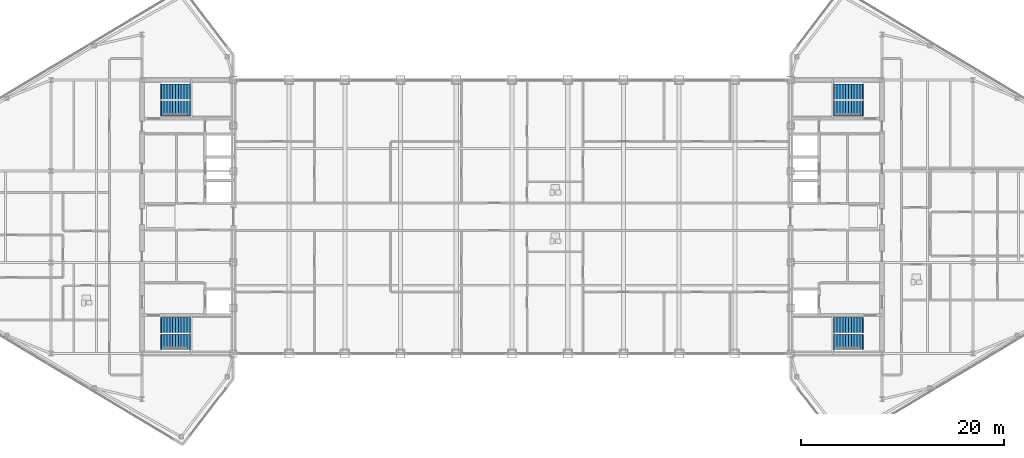
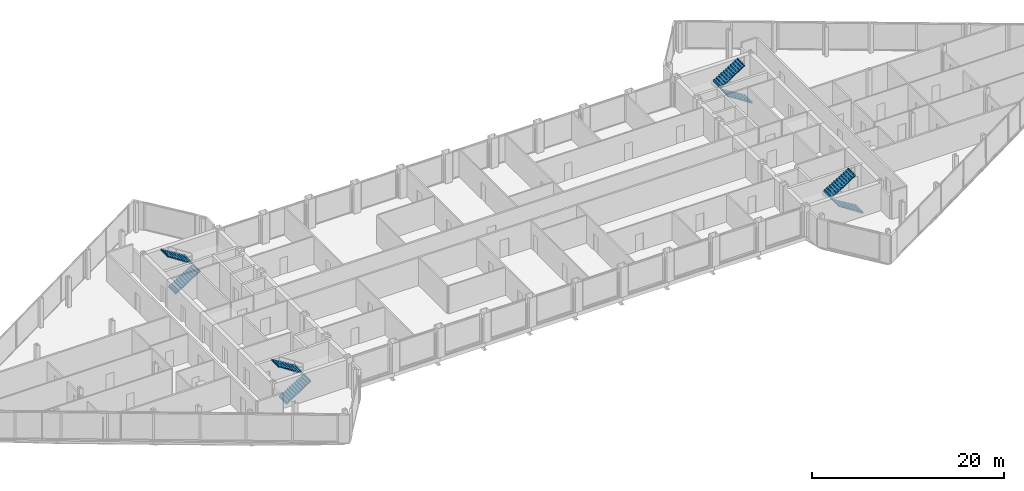
# One storey, part 27 of 29: 8 stair flights, 4 elements without a shape of their own.
"""IFC4 building model written with IfcOpenShell, lengths in metres."""

import ifcopenshell
import ifcopenshell.guid

model = None  # the IFC model being written
_history = None  # IfcOwnerHistory: only IFC2X3 demands one
_inside = {}  # id of a spatial element -> (the spatial element, [elements in it])
_under = {}  # id of a project, library or spatial element -> (it, [spatial elements below it])
_declared = {}  # id of a project -> (the project, [libraries it declares])
_typed = {}  # id of a type object -> (the type object, [elements of that type])
_made_of = {}  # id of a material, layer set ... -> (it, [elements and type objects made of it])


def new_model(schema):
    """Start an empty IFC model of exactly this schema.

    Asked for "IFC4X3", IfcOpenShell would pick the latest addendum, in which some entities
    have other attributes; the version numbers below select the first issue.
    IFC2X3 requires an IfcOwnerHistory on every rooted entity: one is made here for all.
    """
    global model, _history
    if schema == "IFC4X3":
        model = ifcopenshell.file(schema_version=(4, 3, 0, 0))
    else:
        model = ifcopenshell.file(schema=schema)
    _inside.clear()
    _under.clear()
    _declared.clear()
    _typed.clear()
    _made_of.clear()
    _history = None
    if model.schema == "IFC2X3":
        org = make("IfcOrganization", Name="unknown")
        user = make(
            "IfcPersonAndOrganization",
            ThePerson=make("IfcPerson", FamilyName="unknown"),
            TheOrganization=org,
        )
        app = make(
            "IfcApplication",
            ApplicationDeveloper=org,
            Version="unknown",
            ApplicationFullName="unknown",
            ApplicationIdentifier="unknown",
        )
        _history = make(
            "IfcOwnerHistory",
            OwningUser=user,
            OwningApplication=app,
            ChangeAction="ADDED",
            CreationDate=0,
        )
    return model


def make(cls, **values):
    """One entity of the class cls with the attributes given. An attribute that is None is left unset."""
    return model.create_entity(
        cls, **{name: value for name, value in values.items() if value is not None}
    )


def rooted(cls, **values):
    """An entity with a GlobalId (a new one), such as an element, a storey or a relation."""
    return make(cls, GlobalId=ifcopenshell.guid.new(), OwnerHistory=_history, **values)


def si_unit(unit_type, name, prefix=None):
    """IfcSIUnit, for example si_unit("LENGTHUNIT", "METRE", prefix="MILLI")."""
    return make("IfcSIUnit", UnitType=unit_type, Prefix=prefix, Name=name)


def assignment(units):
    """IfcUnitAssignment: the units of a project."""
    return None if units is None else make("IfcUnitAssignment", Units=units)


def point(xyz):
    """IfcCartesianPoint."""
    return None if xyz is None else make("IfcCartesianPoint", Coordinates=xyz)


def direction(xyz):
    """IfcDirection."""
    return None if xyz is None else make("IfcDirection", DirectionRatios=xyz)


def frame(location, z_axis=None, x_axis=None):
    """IfcAxis2Placement3D, a coordinate frame: its origin and axes. An axis left out is left unset."""
    return make(
        "IfcAxis2Placement3D",
        Location=point(location),
        Axis=direction(z_axis),
        RefDirection=direction(x_axis),
    )


def origin():
    """The frame at (0, 0, 0) with its axes left unset."""
    return frame((0.0, 0.0, 0.0))


def place(relative_to, where):
    """IfcLocalPlacement: puts the frame where relative to a parent placement (None: the world)."""
    return make(
        "IfcLocalPlacement", PlacementRelTo=relative_to, RelativePlacement=where
    )


def context(
    kind, dimensions, precision=None, world=None, true_north=None, identifier=None
):
    """IfcGeometricRepresentationContext, for example the 3D "Model" context."""
    return make(
        "IfcGeometricRepresentationContext",
        ContextIdentifier=identifier,
        ContextType=kind,
        CoordinateSpaceDimension=dimensions,
        Precision=precision,
        WorldCoordinateSystem=world,
        TrueNorth=true_north,
    )


def subcontext(parent, identifier, kind, view, scale=None):
    """IfcGeometricRepresentationSubContext, for example "Body" below "Model"."""
    return make(
        "IfcGeometricRepresentationSubContext",
        ContextIdentifier=identifier,
        ContextType=kind,
        ParentContext=parent,
        TargetScale=scale,
        TargetView=view,
    )


def project(units=None, contexts=None):
    """IfcProject with its units and contexts."""
    return rooted(
        "IfcProject",
        Name="project",
        RepresentationContexts=contexts,
        UnitsInContext=assignment(units),
    )


def spatial(cls, under=None, at=None, **own):
    """A site, building, storey or space (cls), placed at a placement, below another one or the project."""
    s = rooted(cls, ObjectPlacement=at, **own)
    if under is not None:
        _under.setdefault(under.id(), (under, []))[1].append(s)
    return s


def polyline(points):
    """IfcPolyline through the points."""
    return make("IfcPolyline", Points=[point(p) for p in points])


def outline(outer, holes=None, kind="AREA"):
    """IfcArbitraryClosedProfileDef: a profile drawn as a closed curve; with holes, ...WithVoids."""
    if holes is None:
        return make("IfcArbitraryClosedProfileDef", ProfileType=kind, OuterCurve=outer)
    return make(
        "IfcArbitraryProfileDefWithVoids",
        ProfileType=kind,
        OuterCurve=outer,
        InnerCurves=holes,
    )


def extrude(swept, where, along, depth):
    """IfcExtrudedAreaSolid: the profile swept, set in the frame where, extruded along a direction by depth."""
    return make(
        "IfcExtrudedAreaSolid",
        SweptArea=swept,
        Position=where,
        ExtrudedDirection=direction(along),
        Depth=depth,
    )


def shape(context_of_items, identifier, shape_type, items):
    """IfcShapeRepresentation: the items that make up one representation, for example the "Body"."""
    return make(
        "IfcShapeRepresentation",
        ContextOfItems=context_of_items,
        RepresentationIdentifier=identifier,
        RepresentationType=shape_type,
        Items=items,
    )


def material(Name=None, Category=None):
    """IfcMaterial."""
    return make("IfcMaterial", Name=Name, Category=Category)


def made_of(thing, what):
    """Note that an element or type object is made of a material, layer set ...; save() writes the relation."""
    if what is not None:
        _made_of.setdefault(what.id(), (what, []))[1].append(thing)
    return thing


def type_object(cls, material=None, **own):
    """A type object (cls), such as IfcWallType, which elements share."""
    return made_of(rooted(cls, **own), material)


def element(
    cls,
    number,
    at=None,
    inside=None,
    cuts=None,
    type_object=None,
    material=None,
    context=None,
    identifier="Body",
    shape_type=None,
    held_by="IfcProductDefinitionShape",
    body=None,
    shapes=None,
    **own,
):
    """One element of the class cls, such as IfcWall. Its Tag is "e" and its number.

    at: its placement. inside: the storey or other place that contains it. cuts: it is an
    opening in that element (IfcRelVoidsElement). A single representation is given by context,
    identifier, shape_type and body (its items); several are given by shapes. held_by: the class
    of the entity that holds the representations. save() writes the other relations.
    """
    e = rooted(cls, Tag="e%d" % number, ObjectPlacement=at, **own)
    if body is not None:
        shapes = [shape(context, identifier, shape_type, body)]
    if shapes is not None:
        e.Representation = make(held_by, Representations=shapes)
    if inside is not None:
        _inside.setdefault(inside.id(), (inside, []))[1].append(e)
    if cuts is not None:
        rooted(
            "IfcRelVoidsElement", RelatingBuildingElement=cuts, RelatedOpeningElement=e
        )
    if type_object is not None:
        _typed.setdefault(type_object.id(), (type_object, []))[1].append(e)
    return made_of(e, material)


def aggregate(whole, parts):
    """IfcRelAggregates: a whole, such as a stair, and the parts it consists of."""
    return rooted("IfcRelAggregates", RelatingObject=whole, RelatedObjects=parts)


def save(model, path):
    """Write the relations noted so far, then the file.

    IfcRelAggregates (storeys below a building ...), IfcRelContainedInSpatialStructure (elements
    in a storey), IfcRelDefinesByType, IfcRelAssociatesMaterial and IfcRelDeclares: one each for
    every whole, place, type object, material and project.
    """
    for whole, parts in _under.values():
        aggregate(whole, parts)
    for where, things in _inside.values():
        rooted(
            "IfcRelContainedInSpatialStructure",
            RelatedElements=things,
            RelatingStructure=where,
        )
    for kind, things in _typed.values():
        rooted("IfcRelDefinesByType", RelatedObjects=things, RelatingType=kind)
    for what, things in _made_of.values():
        rooted("IfcRelAssociatesMaterial", RelatedObjects=things, RelatingMaterial=what)
    for by, libraries in _declared.values():
        rooted("IfcRelDeclares", RelatingContext=by, RelatedDefinitions=libraries)
    model.write(path)


model = new_model("IFC4")

# Units and contexts
model_context = context("Model", 3, precision=1e-05, world=origin(), true_north=direction((0.0, 1.0)))
body_context = subcontext(model_context, "Body", "Model", "MODEL_VIEW")
ifc_project = project(units=[si_unit("LENGTHUNIT", "METRE"), si_unit("AREAUNIT", "SQUARE_METRE"), si_unit("VOLUMEUNIT", "CUBIC_METRE"), si_unit("PLANEANGLEUNIT", "RADIAN"), si_unit("MASSUNIT", "GRAM", prefix="KILO")], contexts=[model_context])

# Site, building, storey
site_placement = place(None, origin())
site = spatial("IfcSite", under=ifc_project, at=site_placement, CompositionType="ELEMENT")
building_placement = place(site_placement, origin())
building = spatial("IfcBuilding", under=site, at=building_placement, Name="Seokmaru Belvedere", CompositionType="ELEMENT")
storey_placement = place(building_placement, frame((0.0, 0.0, 246.89990234375)))
storey = spatial("IfcBuildingStorey", under=building, at=storey_placement, Name="L65", CompositionType="ELEMENT", Elevation=246.89990234375)

# Stair, stair flights
ifc_material = material(Name="Concrete C40 (40 MPa)", Category="concrete")
stair_type = type_object("IfcStairType", Name="Sky-Gate Residential Core Dog-Leg Stair 3750", PredefinedType="TWO_STRAIGHT_RUN_STAIR", material=ifc_material)
stair_1_placement = place(storey_placement, origin())
stair_1 = element("IfcStair", 1, at=stair_1_placement, inside=storey, type_object=stair_type, Name="L65 Special Escape Stair ST-W1", PredefinedType="TWO_STRAIGHT_RUN_STAIR")
stair_flight_type = type_object("IfcStairFlightType", Name="Reinforced Concrete Stair Flight 1500", PredefinedType="STRAIGHT", material=ifc_material)
stair_flight_1_placement = place(storey_placement, frame((-34.60009765625, -12.35009765625, 0.0), z_axis=(0.0, 0.0, 1.0), x_axis=(1.0, 0.0, 0.0)))
stair_flight_1 = element("IfcStairFlight", 2, at=stair_flight_1_placement, type_object=stair_flight_type, Name="ST-W1 flight 1", NumberOfRisers=11, NumberOfTreads=10, PredefinedType="STRAIGHT", RiserHeight=0.170454545, TreadLength=0.28, context=body_context, shape_type="SweptSolid", body=[
    extrude(outline(polyline([(-0.080078125, 0.0), (0.0, 0.17041015625), (0.280029296875, 0.17041015625), (0.280029296875, 0.3408203125), (0.56005859375, 0.3408203125), (0.56005859375, 0.511474609375), (0.840087890625, 0.511474609375), (0.840087890625, 0.681884765625), (1.1201171875, 0.681884765625), (1.1201171875, 0.852294921875), (1.39990234375, 0.852294921875), (1.39990234375, 1.022705078125), (1.679931640625, 1.022705078125), (1.679931640625, 1.193115234375), (1.9599609375, 1.193115234375), (1.9599609375, 1.363525390625), (2.239990234375, 1.363525390625), (2.239990234375, 1.5341796875), (2.52001953125, 1.5341796875), (2.52001953125, 1.70458984375), (2.800048828125, 1.70458984375), (2.800048828125, 1.875), (2.8798828125, 1.875), (2.8798828125, 1.68505859375), (2.800048828125, 1.68505859375), (0.0, -0.159912109375), (-0.080078125, -0.159912109375), (-0.080078125, 0.0)])), frame((0.0, 0.75, 0.0), z_axis=(0.0, -1.0, 0.0), x_axis=(1.0, 0.0, 0.0)), (0.0, 0.0, 1.0), 1.5),
])
stair_flight_2_placement = place(storey_placement, frame((-31.800048828125, -10.7099609375, 1.875), z_axis=(0.0, 0.0, 1.0), x_axis=(-1.0, 0.0, 0.0)))
stair_flight_2 = element("IfcStairFlight", 3, at=stair_flight_2_placement, type_object=stair_flight_type, Name="ST-W1 flight 2", NumberOfRisers=11, NumberOfTreads=10, PredefinedType="STRAIGHT", RiserHeight=0.170454545, TreadLength=0.28, context=body_context, shape_type="SweptSolid", body=[
    extrude(outline(polyline([(-0.080078125, 0.0), (0.0, 0.17041015625), (0.280029296875, 0.17041015625), (0.280029296875, 0.3408203125), (0.56005859375, 0.3408203125), (0.56005859375, 0.511474609375), (0.840087890625, 0.511474609375), (0.840087890625, 0.681884765625), (1.1201171875, 0.681884765625), (1.1201171875, 0.852294921875), (1.39990234375, 0.852294921875), (1.39990234375, 1.022705078125), (1.679931640625, 1.022705078125), (1.679931640625, 1.193115234375), (1.9599609375, 1.193115234375), (1.9599609375, 1.363525390625), (2.239990234375, 1.363525390625), (2.239990234375, 1.5341796875), (2.52001953125, 1.5341796875), (2.52001953125, 1.70458984375), (2.800048828125, 1.70458984375), (2.800048828125, 1.875), (2.8798828125, 1.875), (2.8798828125, 1.68505859375), (2.800048828125, 1.68505859375), (0.0, -0.159912109375), (-0.080078125, -0.159912109375), (-0.080078125, 0.0)])), frame((0.0, 0.75, 0.0), z_axis=(0.0, -1.0, 0.0), x_axis=(1.0, 0.0, 0.0)), (0.0, 0.0, 1.0), 1.5),
])
aggregate(stair_1, [stair_flight_1, stair_flight_2])

stair_2_placement = place(storey_placement, origin())
stair_2 = element("IfcStair", 4, at=stair_2_placement, inside=storey, type_object=stair_type, Name="L65 Special Escape Stair ST-W2", PredefinedType="TWO_STRAIGHT_RUN_STAIR")
stair_flight_3_placement = place(storey_placement, frame((-34.60009765625, 10.7099609375, 0.0), z_axis=(0.0, 0.0, 1.0), x_axis=(1.0, 0.0, 0.0)))
stair_flight_3 = element("IfcStairFlight", 5, at=stair_flight_3_placement, type_object=stair_flight_type, Name="ST-W2 flight 1", NumberOfRisers=11, NumberOfTreads=10, PredefinedType="STRAIGHT", RiserHeight=0.170454545, TreadLength=0.28, context=body_context, shape_type="SweptSolid", body=[
    extrude(outline(polyline([(-0.080078125, 0.0), (0.0, 0.17041015625), (0.280029296875, 0.17041015625), (0.280029296875, 0.3408203125), (0.56005859375, 0.3408203125), (0.56005859375, 0.511474609375), (0.840087890625, 0.511474609375), (0.840087890625, 0.681884765625), (1.1201171875, 0.681884765625), (1.1201171875, 0.852294921875), (1.39990234375, 0.852294921875), (1.39990234375, 1.022705078125), (1.679931640625, 1.022705078125), (1.679931640625, 1.193115234375), (1.9599609375, 1.193115234375), (1.9599609375, 1.363525390625), (2.239990234375, 1.363525390625), (2.239990234375, 1.5341796875), (2.52001953125, 1.5341796875), (2.52001953125, 1.70458984375), (2.800048828125, 1.70458984375), (2.800048828125, 1.875), (2.8798828125, 1.875), (2.8798828125, 1.68505859375), (2.800048828125, 1.68505859375), (0.0, -0.159912109375), (-0.080078125, -0.159912109375), (-0.080078125, 0.0)])), frame((0.0, 0.75, 0.0), z_axis=(0.0, -1.0, 0.0), x_axis=(1.0, 0.0, 0.0)), (0.0, 0.0, 1.0), 1.5),
])
stair_flight_4_placement = place(storey_placement, frame((-31.800048828125, 12.35009765625, 1.875), z_axis=(0.0, 0.0, 1.0), x_axis=(-1.0, 0.0, 0.0)))
stair_flight_4 = element("IfcStairFlight", 6, at=stair_flight_4_placement, type_object=stair_flight_type, Name="ST-W2 flight 2", NumberOfRisers=11, NumberOfTreads=10, PredefinedType="STRAIGHT", RiserHeight=0.170454545, TreadLength=0.28, context=body_context, shape_type="SweptSolid", body=[
    extrude(outline(polyline([(-0.080078125, 0.0), (0.0, 0.17041015625), (0.280029296875, 0.17041015625), (0.280029296875, 0.3408203125), (0.56005859375, 0.3408203125), (0.56005859375, 0.511474609375), (0.840087890625, 0.511474609375), (0.840087890625, 0.681884765625), (1.1201171875, 0.681884765625), (1.1201171875, 0.852294921875), (1.39990234375, 0.852294921875), (1.39990234375, 1.022705078125), (1.679931640625, 1.022705078125), (1.679931640625, 1.193115234375), (1.9599609375, 1.193115234375), (1.9599609375, 1.363525390625), (2.239990234375, 1.363525390625), (2.239990234375, 1.5341796875), (2.52001953125, 1.5341796875), (2.52001953125, 1.70458984375), (2.800048828125, 1.70458984375), (2.800048828125, 1.875), (2.8798828125, 1.875), (2.8798828125, 1.68505859375), (2.800048828125, 1.68505859375), (0.0, -0.159912109375), (-0.080078125, -0.159912109375), (-0.080078125, 0.0)])), frame((0.0, 0.75, 0.0), z_axis=(0.0, -1.0, 0.0), x_axis=(1.0, 0.0, 0.0)), (0.0, 0.0, 1.0), 1.5),
])
aggregate(stair_2, [stair_flight_3, stair_flight_4])

stair_3_placement = place(storey_placement, origin())
stair_3 = element("IfcStair", 7, at=stair_3_placement, inside=storey, type_object=stair_type, Name="L65 Special Escape Stair ST-E1", PredefinedType="TWO_STRAIGHT_RUN_STAIR")
stair_flight_5_placement = place(storey_placement, frame((34.60009765625, -12.35009765625, 0.0), z_axis=(0.0, 0.0, 1.0), x_axis=(-1.0, 0.0, 0.0)))
stair_flight_5 = element("IfcStairFlight", 8, at=stair_flight_5_placement, type_object=stair_flight_type, Name="ST-E1 flight 1", NumberOfRisers=11, NumberOfTreads=10, PredefinedType="STRAIGHT", RiserHeight=0.170454545, TreadLength=0.28, context=body_context, shape_type="SweptSolid", body=[
    extrude(outline(polyline([(-0.080078125, 0.0), (0.0, 0.17041015625), (0.280029296875, 0.17041015625), (0.280029296875, 0.3408203125), (0.56005859375, 0.3408203125), (0.56005859375, 0.511474609375), (0.840087890625, 0.511474609375), (0.840087890625, 0.681884765625), (1.1201171875, 0.681884765625), (1.1201171875, 0.852294921875), (1.39990234375, 0.852294921875), (1.39990234375, 1.022705078125), (1.679931640625, 1.022705078125), (1.679931640625, 1.193115234375), (1.9599609375, 1.193115234375), (1.9599609375, 1.363525390625), (2.239990234375, 1.363525390625), (2.239990234375, 1.5341796875), (2.52001953125, 1.5341796875), (2.52001953125, 1.70458984375), (2.800048828125, 1.70458984375), (2.800048828125, 1.875), (2.8798828125, 1.875), (2.8798828125, 1.68505859375), (2.800048828125, 1.68505859375), (0.0, -0.159912109375), (-0.080078125, -0.159912109375), (-0.080078125, 0.0)])), frame((0.0, 0.75, 0.0), z_axis=(0.0, -1.0, 0.0), x_axis=(1.0, 0.0, 0.0)), (0.0, 0.0, 1.0), 1.5),
])
stair_flight_6_placement = place(storey_placement, frame((31.800048828125, -10.7099609375, 1.875), z_axis=(0.0, 0.0, 1.0), x_axis=(1.0, 0.0, 0.0)))
stair_flight_6 = element("IfcStairFlight", 9, at=stair_flight_6_placement, type_object=stair_flight_type, Name="ST-E1 flight 2", NumberOfRisers=11, NumberOfTreads=10, PredefinedType="STRAIGHT", RiserHeight=0.170454545, TreadLength=0.28, context=body_context, shape_type="SweptSolid", body=[
    extrude(outline(polyline([(-0.080078125, 0.0), (0.0, 0.17041015625), (0.280029296875, 0.17041015625), (0.280029296875, 0.3408203125), (0.56005859375, 0.3408203125), (0.56005859375, 0.511474609375), (0.840087890625, 0.511474609375), (0.840087890625, 0.681884765625), (1.1201171875, 0.681884765625), (1.1201171875, 0.852294921875), (1.39990234375, 0.852294921875), (1.39990234375, 1.022705078125), (1.679931640625, 1.022705078125), (1.679931640625, 1.193115234375), (1.9599609375, 1.193115234375), (1.9599609375, 1.363525390625), (2.239990234375, 1.363525390625), (2.239990234375, 1.5341796875), (2.52001953125, 1.5341796875), (2.52001953125, 1.70458984375), (2.800048828125, 1.70458984375), (2.800048828125, 1.875), (2.8798828125, 1.875), (2.8798828125, 1.68505859375), (2.800048828125, 1.68505859375), (0.0, -0.159912109375), (-0.080078125, -0.159912109375), (-0.080078125, 0.0)])), frame((0.0, 0.75, 0.0), z_axis=(0.0, -1.0, 0.0), x_axis=(1.0, 0.0, 0.0)), (0.0, 0.0, 1.0), 1.5),
])
aggregate(stair_3, [stair_flight_5, stair_flight_6])

stair_4_placement = place(storey_placement, origin())
stair_4 = element("IfcStair", 10, at=stair_4_placement, inside=storey, type_object=stair_type, Name="L65 Special Escape Stair ST-E2", PredefinedType="TWO_STRAIGHT_RUN_STAIR")
stair_flight_7_placement = place(storey_placement, frame((34.60009765625, 10.7099609375, 0.0), z_axis=(0.0, 0.0, 1.0), x_axis=(-1.0, 0.0, 0.0)))
stair_flight_7 = element("IfcStairFlight", 11, at=stair_flight_7_placement, type_object=stair_flight_type, Name="ST-E2 flight 1", NumberOfRisers=11, NumberOfTreads=10, PredefinedType="STRAIGHT", RiserHeight=0.170454545, TreadLength=0.28, context=body_context, shape_type="SweptSolid", body=[
    extrude(outline(polyline([(-0.080078125, 0.0), (0.0, 0.17041015625), (0.280029296875, 0.17041015625), (0.280029296875, 0.3408203125), (0.56005859375, 0.3408203125), (0.56005859375, 0.511474609375), (0.840087890625, 0.511474609375), (0.840087890625, 0.681884765625), (1.1201171875, 0.681884765625), (1.1201171875, 0.852294921875), (1.39990234375, 0.852294921875), (1.39990234375, 1.022705078125), (1.679931640625, 1.022705078125), (1.679931640625, 1.193115234375), (1.9599609375, 1.193115234375), (1.9599609375, 1.363525390625), (2.239990234375, 1.363525390625), (2.239990234375, 1.5341796875), (2.52001953125, 1.5341796875), (2.52001953125, 1.70458984375), (2.800048828125, 1.70458984375), (2.800048828125, 1.875), (2.8798828125, 1.875), (2.8798828125, 1.68505859375), (2.800048828125, 1.68505859375), (0.0, -0.159912109375), (-0.080078125, -0.159912109375), (-0.080078125, 0.0)])), frame((0.0, 0.75, 0.0), z_axis=(0.0, -1.0, 0.0), x_axis=(1.0, 0.0, 0.0)), (0.0, 0.0, 1.0), 1.5),
])
stair_flight_8_placement = place(storey_placement, frame((31.800048828125, 12.35009765625, 1.875), z_axis=(0.0, 0.0, 1.0), x_axis=(1.0, 0.0, 0.0)))
stair_flight_8 = element("IfcStairFlight", 12, at=stair_flight_8_placement, type_object=stair_flight_type, Name="ST-E2 flight 2", NumberOfRisers=11, NumberOfTreads=10, PredefinedType="STRAIGHT", RiserHeight=0.170454545, TreadLength=0.28, context=body_context, shape_type="SweptSolid", body=[
    extrude(outline(polyline([(-0.080078125, 0.0), (0.0, 0.17041015625), (0.280029296875, 0.17041015625), (0.280029296875, 0.3408203125), (0.56005859375, 0.3408203125), (0.56005859375, 0.511474609375), (0.840087890625, 0.511474609375), (0.840087890625, 0.681884765625), (1.1201171875, 0.681884765625), (1.1201171875, 0.852294921875), (1.39990234375, 0.852294921875), (1.39990234375, 1.022705078125), (1.679931640625, 1.022705078125), (1.679931640625, 1.193115234375), (1.9599609375, 1.193115234375), (1.9599609375, 1.363525390625), (2.239990234375, 1.363525390625), (2.239990234375, 1.5341796875), (2.52001953125, 1.5341796875), (2.52001953125, 1.70458984375), (2.800048828125, 1.70458984375), (2.800048828125, 1.875), (2.8798828125, 1.875), (2.8798828125, 1.68505859375), (2.800048828125, 1.68505859375), (0.0, -0.159912109375), (-0.080078125, -0.159912109375), (-0.080078125, 0.0)])), frame((0.0, 0.75, 0.0), z_axis=(0.0, -1.0, 0.0), x_axis=(1.0, 0.0, 0.0)), (0.0, 0.0, 1.0), 1.5),
])
aggregate(stair_4, [stair_flight_7, stair_flight_8])

save(model, "model.ifc")
